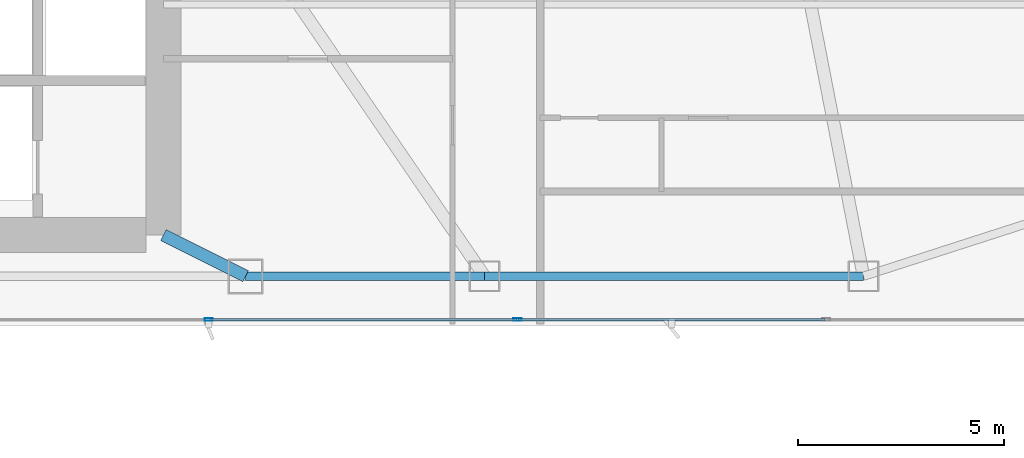
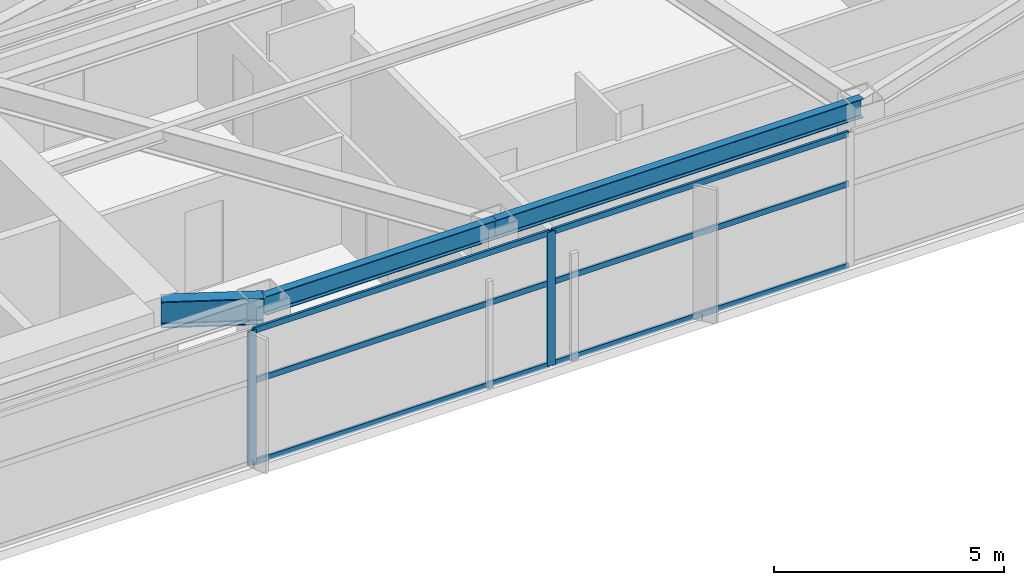
# One storey, part 12 of 28: 8 members, 3 beams, 1 element without a shape of its own.
"""IFC4 building model written with IfcOpenShell, lengths in metres."""

from ifc_helpers import new_model, si_unit, direction, frame, origin, origin_2d, place, context, subcontext, project, spatial, hollow_rectangle, i_section, extrude, material, layer, layer_set, material_profile, profile_set, type_object, element, aggregate, save


model = new_model("IFC4")

# Units and contexts
model_context = context("Model", 3, precision=1e-05, world=origin(), true_north=direction((0.0, 1.0)))
body_context = subcontext(model_context, "Body", "Model", "MODEL_VIEW")
ifc_project = project(units=[si_unit("LENGTHUNIT", "METRE"), si_unit("AREAUNIT", "SQUARE_METRE"), si_unit("VOLUMEUNIT", "CUBIC_METRE"), si_unit("PLANEANGLEUNIT", "RADIAN"), si_unit("MASSUNIT", "GRAM", prefix="KILO")], contexts=[model_context])

# Site, building, storey
site_placement = place(None, origin())
site = spatial("IfcSite", under=ifc_project, at=site_placement, CompositionType="ELEMENT")
building_placement = place(site_placement, origin())
building = spatial("IfcBuilding", under=site, at=building_placement, Name="Calvorn Quay Hotel", CompositionType="ELEMENT")
storey_placement = place(building_placement, frame((0.0, 0.0, 127.800048828125)))
storey = spatial("IfcBuildingStorey", under=building, at=storey_placement, Name="L31", CompositionType="ELEMENT", Elevation=127.800048828125)

# Beams
ifc_material_1 = material(Name="Steel Q390GJC", Category="steel")
ifc_material_profile_1 = material_profile(ifc_material_1, i_section(OverallWidth=0.300048828125, OverallDepth=0.699951171875, WebThickness=0.012939453125, FlangeThickness=0.02392578125, FilletRadius=0.02392578125, at=origin_2d()), Name="HN700x300x13x24")
ifc_profile_set_1 = profile_set([ifc_material_profile_1], Name="Steel Q390GJC")
beam_type_1 = type_object("IfcBeamType", Name="BM-GIRD-MAIN", PredefinedType="BEAM", material=ifc_profile_set_1)
beam_1_placement = place(storey_placement, frame((34.39990234375, 3.60009765625, 3.18994140625), z_axis=(-0.894427191, 0.4472135955, 0.0), x_axis=(-0.4472135955, -0.894427191, 0.0)))
element("IfcBeam", 1, at=beam_1_placement, inside=storey, type_object=beam_type_1, Name="Beam BG-L31-S3", PredefinedType="BEAM", context=body_context, shape_type="SweptSolid", body=[
    extrude(i_section(OverallWidth=0.300048828125, OverallDepth=0.699951171875, WebThickness=0.012939453125, FlangeThickness=0.02392578125, FilletRadius=0.02392578125, at=origin_2d()), origin(), (0.0, 0.0, 1.0), 2.236083984375),
])
ifc_material_2 = material(Name="Steel Q355B", Category="steel")
ifc_material_profile_2 = material_profile(ifc_material_2, i_section(OverallWidth=0.199951171875, OverallDepth=0.5, WebThickness=0.010009765625, FlangeThickness=0.01611328125, FilletRadius=0.01611328125, at=origin_2d()), Name="HN500x200x10x16")
ifc_profile_set_2 = profile_set([ifc_material_profile_2], Name="Steel Q355B")
beam_type_2 = type_object("IfcBeamType", Name="BM-SPANDREL-Z1", PredefinedType="SPANDREL", material=ifc_profile_set_2)
beam_2_placement = place(storey_placement, frame((34.39990234375, 3.60009765625, 3.2900390625), z_axis=(1.0, 0.0, 0.0), x_axis=(0.0, 1.0, 0.0)))
element("IfcBeam", 2, at=beam_2_placement, inside=storey, type_object=beam_type_2, Name="Beam BSP-L31-S4", PredefinedType="SPANDREL", context=body_context, shape_type="SweptSolid", body=[
    extrude(i_section(OverallWidth=0.199951171875, OverallDepth=0.5, WebThickness=0.010009765625, FlangeThickness=0.01611328125, FilletRadius=0.01611328125, at=origin_2d()), origin(), (0.0, 0.0, 1.0), 5.800048828125),
])
beam_3_placement = place(storey_placement, frame((40.199951171875, 3.60009765625, 3.2900390625), z_axis=(1.0, 0.0, 0.0), x_axis=(0.0, 1.0, 0.0)))
element("IfcBeam", 3, at=beam_3_placement, inside=storey, type_object=beam_type_2, Name="Beam BSP-L31-S5", PredefinedType="SPANDREL", context=body_context, shape_type="SweptSolid", body=[
    extrude(i_section(OverallWidth=0.199951171875, OverallDepth=0.5, WebThickness=0.010009765625, FlangeThickness=0.01611328125, FilletRadius=0.01611328125, at=origin_2d()), origin(), (0.0, 0.0, 1.0), 9.199951171875),
])

# Curtain wall, members
ifc_material_3 = material(Name="Pale Anodised Aluminium and Low-E Glass", Category="aluminium")
ifc_layer = layer(ifc_material_3, 0.219970703125)
ifc_layer_set = layer_set([ifc_layer], Name="CW-SYS-Z2")
curtain_wall_type = type_object("IfcCurtainWallType", Name="CW-SYS-Z2", PredefinedType="NOTDEFINED", material=ifc_layer_set)
curtain_wall_placement = place(storey_placement, origin())
curtain_wall = element("IfcCurtainWall", 4, at=curtain_wall_placement, inside=storey, type_object=curtain_wall_type, Name="Tower South Waterfront Curtain Wall (L31)", PredefinedType="NOTDEFINED")
ifc_material_4 = material(Name="Pale Anodised Aluminium 6063-T6", Category="aluminium")
ifc_material_profile_3 = material_profile(ifc_material_4, hollow_rectangle(XDim=0.070068359375, YDim=0.199951171875, WallThickness=0.00390625, at=origin_2d()), Name="ALU-M200x70x4")
ifc_profile_set_3 = profile_set([ifc_material_profile_3], Name="Pale Anodised Aluminium 6063-T6")
member_type_1 = type_object("IfcMemberType", Name="CW-SYS-Z2-MUL", PredefinedType="MULLION", material=ifc_profile_set_3)
member_1_placement = place(storey_placement, frame((33.5, 2.550048828125, 0.0), z_axis=(0.0, 0.0, 1.0), x_axis=(0.0, 1.0, 0.0)))
member_1 = element("IfcMember", 5, at=member_1_placement, type_object=member_type_1, Name="CW-L31-S mullion 4", PredefinedType="MULLION", context=body_context, shape_type="SweptSolid", body=[
    extrude(hollow_rectangle(XDim=0.070068359375, YDim=0.199951171875, WallThickness=0.00390625, at=origin_2d()), origin(), (0.0, 0.0, 1.0), 3.56005859375),
])
member_2_placement = place(storey_placement, frame((41.0, 2.550048828125, 0.0), z_axis=(0.0, 0.0, 1.0), x_axis=(0.0, 1.0, 0.0)))
member_2 = element("IfcMember", 6, at=member_2_placement, type_object=member_type_1, Name="CW-L31-S mullion 5", PredefinedType="MULLION", context=body_context, shape_type="SweptSolid", body=[
    extrude(hollow_rectangle(XDim=0.070068359375, YDim=0.199951171875, WallThickness=0.00390625, at=origin_2d()), origin(), (0.0, 0.0, 1.0), 3.56005859375),
])
ifc_material_5 = material(Name="Pale Anodised Aluminium 6063-T6", Category="aluminium")
ifc_material_profile_4 = material_profile(ifc_material_5, hollow_rectangle(XDim=0.06005859375, YDim=0.14990234375, WallThickness=0.00341796875, at=origin_2d()), Name="ALU-T150x60x3.5")
ifc_profile_set_4 = profile_set([ifc_material_profile_4], Name="Pale Anodised Aluminium 6063-T6")
member_type_2 = type_object("IfcMemberType", Name="CW-SYS-Z2-TRN", PredefinedType="USERDEFINED", material=ifc_profile_set_4)
member_3_placement = place(storey_placement, frame((33.530029296875, 2.550048828125, 0.030029296875), z_axis=(1.0, 0.0, 0.0), x_axis=(0.0, 1.0, 0.0)))
member_3 = element("IfcMember", 7, at=member_3_placement, type_object=member_type_2, Name="CW-L31-S transom 4.1", ObjectType="TRANSOM", PredefinedType="USERDEFINED", context=body_context, shape_type="SweptSolid", body=[
    extrude(hollow_rectangle(XDim=0.06005859375, YDim=0.14990234375, WallThickness=0.00341796875, at=origin_2d()), origin(), (0.0, 0.0, 1.0), 7.43994140625),
])
member_4_placement = place(storey_placement, frame((33.530029296875, 2.550048828125, 2.199951171875), z_axis=(1.0, 0.0, 0.0), x_axis=(0.0, 1.0, 0.0)))
member_4 = element("IfcMember", 8, at=member_4_placement, type_object=member_type_2, Name="CW-L31-S transom 4.2", ObjectType="TRANSOM", PredefinedType="USERDEFINED", context=body_context, shape_type="SweptSolid", body=[
    extrude(hollow_rectangle(XDim=0.06005859375, YDim=0.14990234375, WallThickness=0.00341796875, at=origin_2d()), origin(), (0.0, 0.0, 1.0), 7.43994140625),
])
member_5_placement = place(storey_placement, frame((33.530029296875, 2.550048828125, 3.530029296875), z_axis=(1.0, 0.0, 0.0), x_axis=(0.0, 1.0, 0.0)))
member_5 = element("IfcMember", 9, at=member_5_placement, type_object=member_type_2, Name="CW-L31-S transom 4.3", ObjectType="TRANSOM", PredefinedType="USERDEFINED", context=body_context, shape_type="SweptSolid", body=[
    extrude(hollow_rectangle(XDim=0.06005859375, YDim=0.14990234375, WallThickness=0.00341796875, at=origin_2d()), origin(), (0.0, 0.0, 1.0), 7.43994140625),
])
member_6_placement = place(storey_placement, frame((41.030029296875, 2.550048828125, 0.030029296875), z_axis=(1.0, 0.0, 0.0), x_axis=(0.0, 1.0, 0.0)))
member_6 = element("IfcMember", 10, at=member_6_placement, type_object=member_type_2, Name="CW-L31-S transom 5.1", ObjectType="TRANSOM", PredefinedType="USERDEFINED", context=body_context, shape_type="SweptSolid", body=[
    extrude(hollow_rectangle(XDim=0.06005859375, YDim=0.14990234375, WallThickness=0.00341796875, at=origin_2d()), origin(), (0.0, 0.0, 1.0), 7.43994140625),
])
member_7_placement = place(storey_placement, frame((41.030029296875, 2.550048828125, 2.199951171875), z_axis=(1.0, 0.0, 0.0), x_axis=(0.0, 1.0, 0.0)))
member_7 = element("IfcMember", 11, at=member_7_placement, type_object=member_type_2, Name="CW-L31-S transom 5.2", ObjectType="TRANSOM", PredefinedType="USERDEFINED", context=body_context, shape_type="SweptSolid", body=[
    extrude(hollow_rectangle(XDim=0.06005859375, YDim=0.14990234375, WallThickness=0.00341796875, at=origin_2d()), origin(), (0.0, 0.0, 1.0), 7.43994140625),
])
member_8_placement = place(storey_placement, frame((41.030029296875, 2.550048828125, 3.530029296875), z_axis=(1.0, 0.0, 0.0), x_axis=(0.0, 1.0, 0.0)))
member_8 = element("IfcMember", 12, at=member_8_placement, type_object=member_type_2, Name="CW-L31-S transom 5.3", ObjectType="TRANSOM", PredefinedType="USERDEFINED", context=body_context, shape_type="SweptSolid", body=[
    extrude(hollow_rectangle(XDim=0.06005859375, YDim=0.14990234375, WallThickness=0.00341796875, at=origin_2d()), origin(), (0.0, 0.0, 1.0), 7.43994140625),
])
aggregate(curtain_wall, [member_1, member_2, member_3, member_4, member_5, member_6, member_7, member_8])

save(model, "model.ifc")
